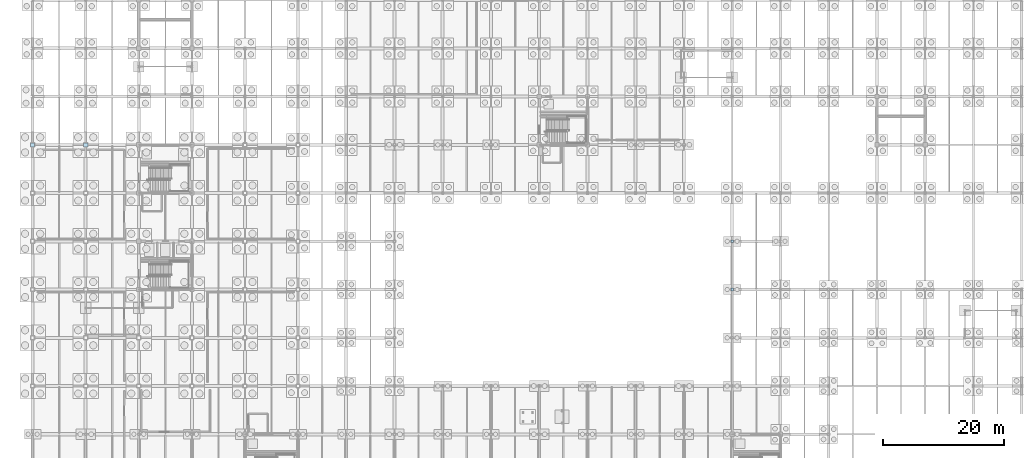
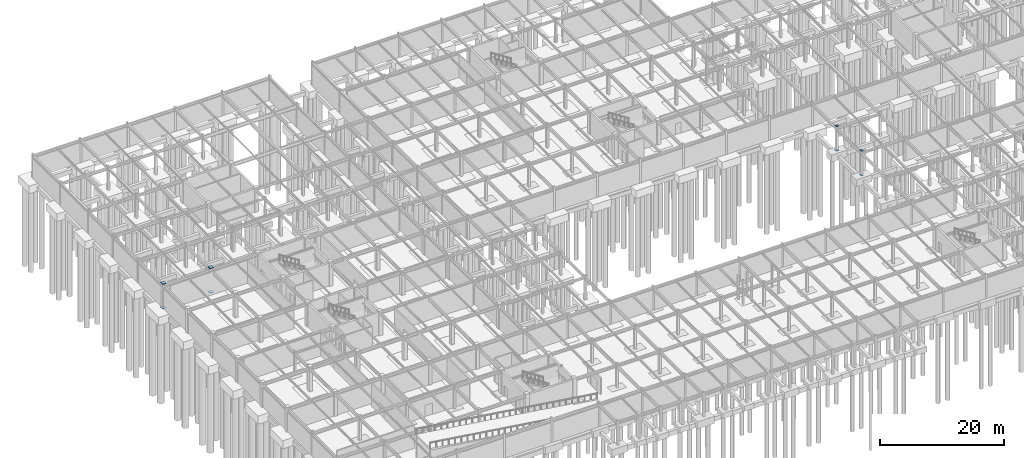
# One storey, part 52 of 72: 8 plates.
"""IFC4 building model written with IfcOpenShell, lengths in metres."""

from ifc_helpers import new_model, si_unit, direction, frame, origin, origin_2d, place, context, subcontext, project, spatial, rectangle, extrude, material, layer, layer_set, type_object, element, save


model = new_model("IFC4")

# Units and contexts
model_context = context("Model", 3, precision=1e-05, world=origin(), true_north=direction((0.0, 1.0)))
body_context = subcontext(model_context, "Body", "Model", "MODEL_VIEW")
ifc_project = project(units=[si_unit("LENGTHUNIT", "METRE"), si_unit("AREAUNIT", "SQUARE_METRE"), si_unit("VOLUMEUNIT", "CUBIC_METRE"), si_unit("PLANEANGLEUNIT", "RADIAN"), si_unit("MASSUNIT", "GRAM", prefix="KILO")], contexts=[model_context])

# Site, building, storey
site_placement = place(None, origin())
site = spatial("IfcSite", under=ifc_project, at=site_placement, CompositionType="ELEMENT")
building_placement = place(site_placement, origin())
building = spatial("IfcBuilding", under=site, at=building_placement, Name="Zhaolan Boulevard Law Courts", CompositionType="ELEMENT")
storey_placement = place(building_placement, frame((0.0, 0.0, -4.800048828125)))
storey = spatial("IfcBuildingStorey", under=building, at=storey_placement, Name="B1", CompositionType="ELEMENT", Elevation=-4.800048828125)

# Plates
ifc_material = material(Name="Structural steel Q355B", Category="steel")
ifc_layer = layer(ifc_material, 0.02001953125)
ifc_layer_set = layer_set([ifc_layer])
plate_type = type_object("IfcPlateType", Name="END CAP PLATE 20", PredefinedType="SHEET", material=ifc_layer_set)
for number, where, z_axis, x_axis, name in (
    (1, (0.0, 70.0, -0.01806640625), (0.0, 0.0, 1.0), (1.0, 0.0, 0.0), "Hollow Section End-Cap Plate ECP-0109"),
    (2, (0.0, 70.0, 4.798095703125), (0.0, 0.0, 1.0), (1.0, 0.0, 0.0), "Hollow Section End-Cap Plate ECP-0110"),
    (3, (8.800048828125, 70.0, -0.01806640625), (0.0, 0.0, 1.0), (1.0, 0.0, 0.0), "Hollow Section End-Cap Plate ECP-0243"),
    (4, (8.800048828125, 70.0, 4.798095703125), (0.0, 0.0, 1.0), (1.0, 0.0, 0.0), "Hollow Section End-Cap Plate ECP-0244"),
):
    element("IfcPlate", number, at=place(storey_placement, frame(where, z_axis=z_axis, x_axis=x_axis)), inside=storey, type_object=plate_type, Name=name, PredefinedType="SHEET", context=body_context, shape_type="SweptSolid", body=[
        extrude(rectangle(XDim=0.679931640625, YDim=0.679931640625, at=origin_2d()), origin(), (0.0, 0.0, 1.0), 0.02001953125),
    ])
for number, where, z_axis, x_axis, name in (
    (5, (116.0, 46.0, -0.01806640625), (0.0, 0.0, 1.0), (1.0, 0.0, 0.0), "Hollow Section End-Cap Plate ECP-0651"),
    (6, (116.0, 46.0, 4.798095703125), (0.0, 0.0, 1.0), (1.0, 0.0, 0.0), "Hollow Section End-Cap Plate ECP-0652"),
    (7, (116.0, 54.0, -0.01806640625), (0.0, 0.0, 1.0), (1.0, 0.0, 0.0), "Hollow Section End-Cap Plate ECP-0653"),
    (8, (116.0, 54.0, 4.798095703125), (0.0, 0.0, 1.0), (1.0, 0.0, 0.0), "Hollow Section End-Cap Plate ECP-0654"),
):
    element("IfcPlate", number, at=place(storey_placement, frame(where, z_axis=z_axis, x_axis=x_axis)), inside=storey, type_object=plate_type, Name=name, PredefinedType="SHEET", context=body_context, shape_type="SweptSolid", body=[
        extrude(rectangle(XDim=0.429931640625, YDim=0.429931640625, at=origin_2d()), origin(), (0.0, 0.0, 1.0), 0.02001953125),
    ])

save(model, "model.ifc")
